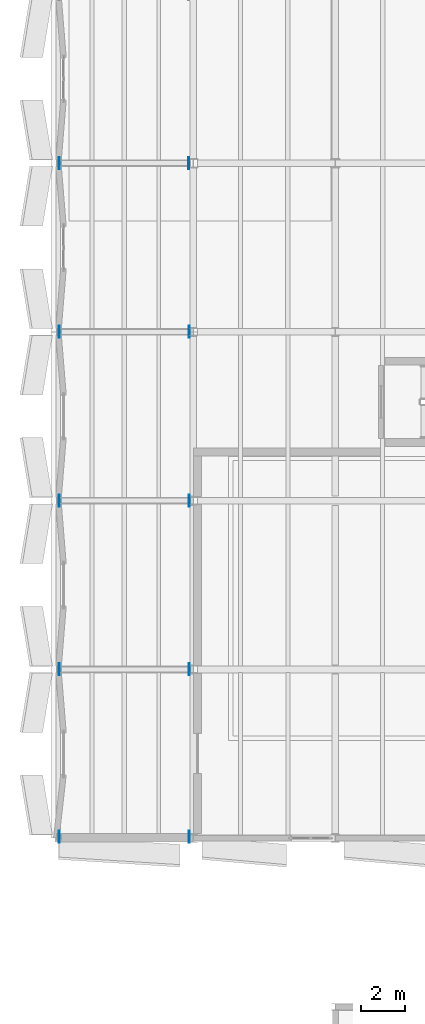
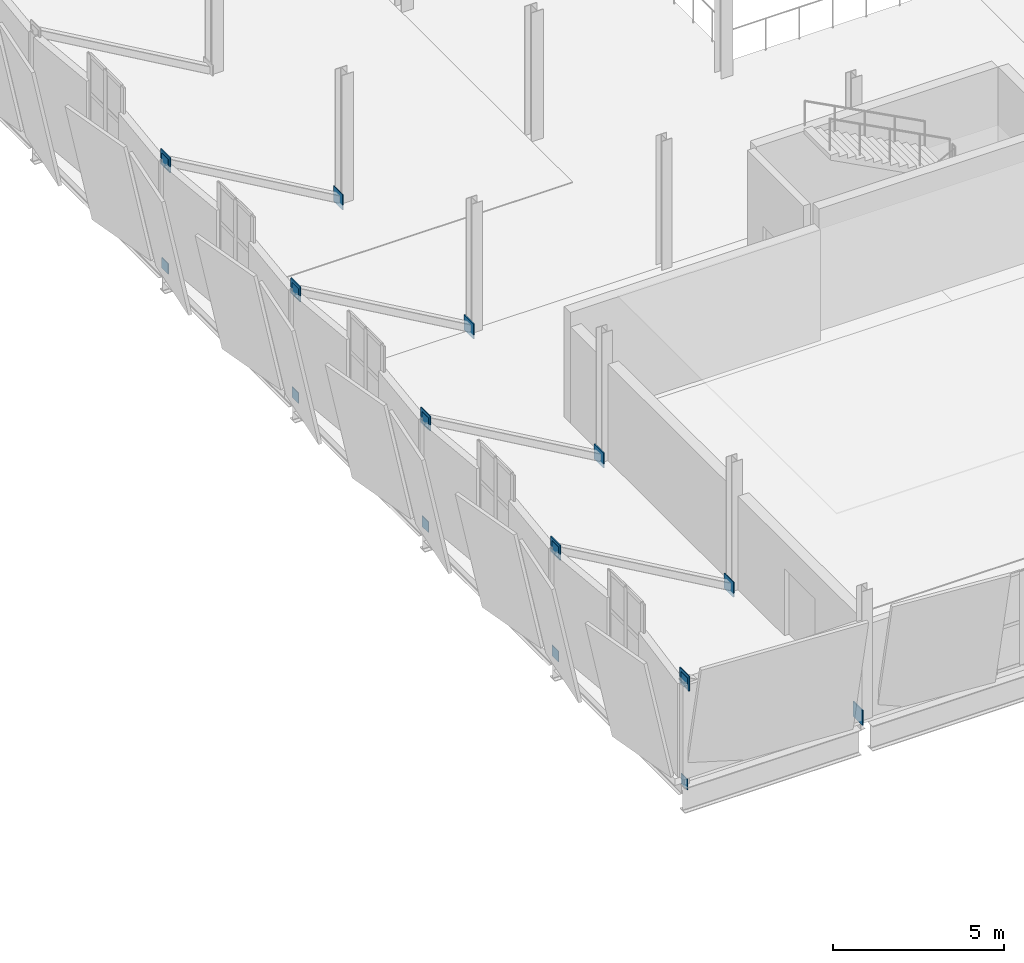
# One storey, part 143 of 172: 20 plates.
"""IFC4 building model written with IfcOpenShell, lengths in metres."""

import ifcopenshell
import ifcopenshell.guid

model = None  # the IFC model being written
_history = None  # IfcOwnerHistory: only IFC2X3 demands one
_inside = {}  # id of a spatial element -> (the spatial element, [elements in it])
_under = {}  # id of a project, library or spatial element -> (it, [spatial elements below it])
_declared = {}  # id of a project -> (the project, [libraries it declares])
_typed = {}  # id of a type object -> (the type object, [elements of that type])
_made_of = {}  # id of a material, layer set ... -> (it, [elements and type objects made of it])


def new_model(schema):
    """Start an empty IFC model of exactly this schema.

    Asked for "IFC4X3", IfcOpenShell would pick the latest addendum, in which some entities
    have other attributes; the version numbers below select the first issue.
    IFC2X3 requires an IfcOwnerHistory on every rooted entity: one is made here for all.
    """
    global model, _history
    if schema == "IFC4X3":
        model = ifcopenshell.file(schema_version=(4, 3, 0, 0))
    else:
        model = ifcopenshell.file(schema=schema)
    _inside.clear()
    _under.clear()
    _declared.clear()
    _typed.clear()
    _made_of.clear()
    _history = None
    if model.schema == "IFC2X3":
        org = make("IfcOrganization", Name="unknown")
        user = make(
            "IfcPersonAndOrganization",
            ThePerson=make("IfcPerson", FamilyName="unknown"),
            TheOrganization=org,
        )
        app = make(
            "IfcApplication",
            ApplicationDeveloper=org,
            Version="unknown",
            ApplicationFullName="unknown",
            ApplicationIdentifier="unknown",
        )
        _history = make(
            "IfcOwnerHistory",
            OwningUser=user,
            OwningApplication=app,
            ChangeAction="ADDED",
            CreationDate=0,
        )
    return model


def make(cls, **values):
    """One entity of the class cls with the attributes given. An attribute that is None is left unset."""
    return model.create_entity(
        cls, **{name: value for name, value in values.items() if value is not None}
    )


def rooted(cls, **values):
    """An entity with a GlobalId (a new one), such as an element, a storey or a relation."""
    return make(cls, GlobalId=ifcopenshell.guid.new(), OwnerHistory=_history, **values)


def si_unit(unit_type, name, prefix=None):
    """IfcSIUnit, for example si_unit("LENGTHUNIT", "METRE", prefix="MILLI")."""
    return make("IfcSIUnit", UnitType=unit_type, Prefix=prefix, Name=name)


def assignment(units):
    """IfcUnitAssignment: the units of a project."""
    return None if units is None else make("IfcUnitAssignment", Units=units)


def point(xyz):
    """IfcCartesianPoint."""
    return None if xyz is None else make("IfcCartesianPoint", Coordinates=xyz)


def direction(xyz):
    """IfcDirection."""
    return None if xyz is None else make("IfcDirection", DirectionRatios=xyz)


def frame(location, z_axis=None, x_axis=None):
    """IfcAxis2Placement3D, a coordinate frame: its origin and axes. An axis left out is left unset."""
    return make(
        "IfcAxis2Placement3D",
        Location=point(location),
        Axis=direction(z_axis),
        RefDirection=direction(x_axis),
    )


def frame_2d(location, x_axis=None):
    """IfcAxis2Placement2D, a coordinate frame in the plane: its origin and x axis."""
    return make(
        "IfcAxis2Placement2D", Location=point(location), RefDirection=direction(x_axis)
    )


def origin():
    """The frame at (0, 0, 0) with its axes left unset."""
    return frame((0.0, 0.0, 0.0))


def origin_2d():
    """The frame at (0, 0) in the plane with its x axis left unset."""
    return frame_2d((0.0, 0.0))


def place(relative_to, where):
    """IfcLocalPlacement: puts the frame where relative to a parent placement (None: the world)."""
    return make(
        "IfcLocalPlacement", PlacementRelTo=relative_to, RelativePlacement=where
    )


def context(
    kind, dimensions, precision=None, world=None, true_north=None, identifier=None
):
    """IfcGeometricRepresentationContext, for example the 3D "Model" context."""
    return make(
        "IfcGeometricRepresentationContext",
        ContextIdentifier=identifier,
        ContextType=kind,
        CoordinateSpaceDimension=dimensions,
        Precision=precision,
        WorldCoordinateSystem=world,
        TrueNorth=true_north,
    )


def subcontext(parent, identifier, kind, view, scale=None):
    """IfcGeometricRepresentationSubContext, for example "Body" below "Model"."""
    return make(
        "IfcGeometricRepresentationSubContext",
        ContextIdentifier=identifier,
        ContextType=kind,
        ParentContext=parent,
        TargetScale=scale,
        TargetView=view,
    )


def project(units=None, contexts=None):
    """IfcProject with its units and contexts."""
    return rooted(
        "IfcProject",
        Name="project",
        RepresentationContexts=contexts,
        UnitsInContext=assignment(units),
    )


def spatial(cls, under=None, at=None, **own):
    """A site, building, storey or space (cls), placed at a placement, below another one or the project."""
    s = rooted(cls, ObjectPlacement=at, **own)
    if under is not None:
        _under.setdefault(under.id(), (under, []))[1].append(s)
    return s


def profile(cls, at=None, kind="AREA", **sizes):
    """A parametric profile (cls). Its sizes go by their IFC names, for example OverallWidth=200.0."""
    return make(cls, ProfileType=kind, Position=at, **sizes)


def rectangle(**sizes):
    """IfcRectangleProfileDef."""
    return profile("IfcRectangleProfileDef", **sizes)


def extrude(swept, where, along, depth):
    """IfcExtrudedAreaSolid: the profile swept, set in the frame where, extruded along a direction by depth."""
    return make(
        "IfcExtrudedAreaSolid",
        SweptArea=swept,
        Position=where,
        ExtrudedDirection=direction(along),
        Depth=depth,
    )


def shape(context_of_items, identifier, shape_type, items):
    """IfcShapeRepresentation: the items that make up one representation, for example the "Body"."""
    return make(
        "IfcShapeRepresentation",
        ContextOfItems=context_of_items,
        RepresentationIdentifier=identifier,
        RepresentationType=shape_type,
        Items=items,
    )


def material(Name=None, Category=None):
    """IfcMaterial."""
    return make("IfcMaterial", Name=Name, Category=Category)


def layer(
    of_material, thickness, ventilated=None, Name=None, Category=None, Priority=None
):
    """IfcMaterialLayer: one layer of a wall or slab, of a material (None: an air gap)."""
    return make(
        "IfcMaterialLayer",
        Material=of_material,
        LayerThickness=thickness,
        IsVentilated=ventilated,
        Name=Name,
        Category=Category,
        Priority=Priority,
    )


def layer_set(layers, Name=None):
    """IfcMaterialLayerSet."""
    return make("IfcMaterialLayerSet", MaterialLayers=layers, LayerSetName=Name)


def made_of(thing, what):
    """Note that an element or type object is made of a material, layer set ...; save() writes the relation."""
    if what is not None:
        _made_of.setdefault(what.id(), (what, []))[1].append(thing)
    return thing


def type_object(cls, material=None, **own):
    """A type object (cls), such as IfcWallType, which elements share."""
    return made_of(rooted(cls, **own), material)


def element(
    cls,
    number,
    at=None,
    inside=None,
    cuts=None,
    type_object=None,
    material=None,
    context=None,
    identifier="Body",
    shape_type=None,
    held_by="IfcProductDefinitionShape",
    body=None,
    shapes=None,
    **own,
):
    """One element of the class cls, such as IfcWall. Its Tag is "e" and its number.

    at: its placement. inside: the storey or other place that contains it. cuts: it is an
    opening in that element (IfcRelVoidsElement). A single representation is given by context,
    identifier, shape_type and body (its items); several are given by shapes. held_by: the class
    of the entity that holds the representations. save() writes the other relations.
    """
    e = rooted(cls, Tag="e%d" % number, ObjectPlacement=at, **own)
    if body is not None:
        shapes = [shape(context, identifier, shape_type, body)]
    if shapes is not None:
        e.Representation = make(held_by, Representations=shapes)
    if inside is not None:
        _inside.setdefault(inside.id(), (inside, []))[1].append(e)
    if cuts is not None:
        rooted(
            "IfcRelVoidsElement", RelatingBuildingElement=cuts, RelatedOpeningElement=e
        )
    if type_object is not None:
        _typed.setdefault(type_object.id(), (type_object, []))[1].append(e)
    return made_of(e, material)


def aggregate(whole, parts):
    """IfcRelAggregates: a whole, such as a stair, and the parts it consists of."""
    return rooted("IfcRelAggregates", RelatingObject=whole, RelatedObjects=parts)


def save(model, path):
    """Write the relations noted so far, then the file.

    IfcRelAggregates (storeys below a building ...), IfcRelContainedInSpatialStructure (elements
    in a storey), IfcRelDefinesByType, IfcRelAssociatesMaterial and IfcRelDeclares: one each for
    every whole, place, type object, material and project.
    """
    for whole, parts in _under.values():
        aggregate(whole, parts)
    for where, things in _inside.values():
        rooted(
            "IfcRelContainedInSpatialStructure",
            RelatedElements=things,
            RelatingStructure=where,
        )
    for kind, things in _typed.values():
        rooted("IfcRelDefinesByType", RelatedObjects=things, RelatingType=kind)
    for what, things in _made_of.values():
        rooted("IfcRelAssociatesMaterial", RelatedObjects=things, RelatingMaterial=what)
    for by, libraries in _declared.values():
        rooted("IfcRelDeclares", RelatingContext=by, RelatedDefinitions=libraries)
    model.write(path)


model = new_model("IFC4")

# Units and contexts
model_context = context("Model", 3, precision=1e-05, world=origin(), true_north=direction((0.0, 1.0)))
body_context = subcontext(model_context, "Body", "Model", "MODEL_VIEW")
ifc_project = project(units=[si_unit("LENGTHUNIT", "METRE"), si_unit("AREAUNIT", "SQUARE_METRE"), si_unit("VOLUMEUNIT", "CUBIC_METRE"), si_unit("PLANEANGLEUNIT", "RADIAN"), si_unit("MASSUNIT", "GRAM", prefix="KILO")], contexts=[model_context])

# Site, building, storey
site_placement = place(None, origin())
site = spatial("IfcSite", under=ifc_project, at=site_placement, CompositionType="ELEMENT")
building_placement = place(site_placement, origin())
building = spatial("IfcBuilding", under=site, at=building_placement, Name="Shengluoqiao Park Theatre", CompositionType="ELEMENT")
storey_placement = place(building_placement, frame((0.0, 0.0, 5.39990234375)))
storey = spatial("IfcBuildingStorey", under=building, at=storey_placement, Name="L01", CompositionType="ELEMENT", Elevation=5.39990234375)

# Plates
ifc_material = material(Name="Steel Q390", Category="steel")
ifc_layer_1 = layer(ifc_material, 0.02392578125, Name="Steel Q390")
ifc_layer_set_1 = layer_set([ifc_layer_1], Name="Steel Q390")
plate_type_1 = type_object("IfcPlateType", Name="STR-PLT-EC-360", PredefinedType="SHEET", material=ifc_layer_set_1)
for number, where, z_axis, x_axis, name in (
    (1, (0.360107421875, 30.4599609375, -0.44091796875), (0.0, 0.0, 1.0), (1.0, 0.0, 0.0), "Hollow Tube End Cap Plate 00038"),
    (2, (0.360107421875, 30.4599609375, 3.18115234375), (0.0, 0.0, 1.0), (1.0, 0.0, 0.0), "Hollow Tube End Cap Plate 00039"),
    (3, (0.360107421875, 38.0, -0.44091796875), (0.0, 0.0, 1.0), (1.0, 0.0, 0.0), "Hollow Tube End Cap Plate 00050"),
    (4, (0.360107421875, 38.0, 3.28125), (0.0, 0.0, 1.0), (1.0, 0.0, 0.0), "Hollow Tube End Cap Plate 00051"),
    (5, (0.360107421875, 45.60009765625, -0.44091796875), (0.0, 0.0, 1.0), (1.0, 0.0, 0.0), "Hollow Tube End Cap Plate 00062"),
    (6, (0.360107421875, 45.60009765625, 3.28125), (0.0, 0.0, 1.0), (1.0, 0.0, 0.0), "Hollow Tube End Cap Plate 00063"),
    (7, (0.360107421875, 53.199951171875, -0.44091796875), (0.0, 0.0, 1.0), (1.0, 0.0, 0.0), "Hollow Tube End Cap Plate 00074"),
    (8, (0.360107421875, 53.199951171875, 3.28125), (0.0, 0.0, 1.0), (1.0, 0.0, 0.0), "Hollow Tube End Cap Plate 00075"),
    (9, (0.360107421875, 60.800048828125, -0.44091796875), (0.0, 0.0, 1.0), (1.0, 0.0, 0.0), "Hollow Tube End Cap Plate 00086"),
    (10, (0.360107421875, 60.800048828125, 3.28125), (0.0, 0.0, 1.0), (1.0, 0.0, 0.0), "Hollow Tube End Cap Plate 00087"),
):
    element("IfcPlate", number, at=place(storey_placement, frame(where, z_axis=z_axis, x_axis=x_axis)), inside=storey, type_object=plate_type_1, Name=name, PredefinedType="SHEET", context=body_context, shape_type="SweptSolid", body=[
        extrude(rectangle(XDim=0.02392578125, YDim=0.3798828125, at=origin_2d()), origin(), (0.0, 0.0, 1.0), 0.3798828125),
    ])
ifc_layer_2 = layer(ifc_material, 0.033935546875, Name="Steel Q390")
ifc_layer_set_2 = layer_set([ifc_layer_2], Name="Steel Q390")
plate_type_2 = type_object("IfcPlateType", Name="STR-PLT-EC-540", PredefinedType="SHEET", material=ifc_layer_set_2)
for number, where, z_axis, x_axis, name in (
    (11, (6.227783203125, 30.4599609375, -0.14306640625), (0.0, 0.0, 1.0), (-1.0, 0.0, 0.0), "Hollow Tube End Cap Plate 00036"),
    (12, (0.372314453125, 30.4599609375, 3.123291015625), (0.0, 0.0, 1.0), (-1.0, 0.0, 0.0), "Hollow Tube End Cap Plate 00037"),
    (13, (6.227783203125, 38.0, -0.142822265625), (0.0, 0.0, 1.0), (-1.0, 0.0, 0.0), "Hollow Tube End Cap Plate 00048"),
    (14, (0.3720703125, 38.0, 3.22314453125), (0.0, 0.0, 1.0), (-1.0, 0.0, 0.0), "Hollow Tube End Cap Plate 00049"),
    (15, (6.227783203125, 45.60009765625, -0.142822265625), (0.0, 0.0, 1.0), (-1.0, 0.0, 0.0), "Hollow Tube End Cap Plate 00060"),
    (16, (0.3720703125, 45.60009765625, 3.22314453125), (0.0, 0.0, 1.0), (-1.0, 0.0, 0.0), "Hollow Tube End Cap Plate 00061"),
    (17, (6.227783203125, 53.199951171875, -0.142822265625), (0.0, 0.0, 1.0), (-1.0, 0.0, 0.0), "Hollow Tube End Cap Plate 00072"),
    (18, (0.3720703125, 53.199951171875, 3.22314453125), (0.0, 0.0, 1.0), (-1.0, 0.0, 0.0), "Hollow Tube End Cap Plate 00073"),
    (19, (6.202880859375, 60.800048828125, -0.142822265625), (0.0, 0.0, 1.0), (-1.0, 0.0, 0.0), "Hollow Tube End Cap Plate 00084"),
    (20, (0.3720703125, 60.800048828125, 3.22314453125), (0.0, 0.0, 1.0), (-1.0, 0.0, 0.0), "Hollow Tube End Cap Plate 00085"),
):
    element("IfcPlate", number, at=place(storey_placement, frame(where, z_axis=z_axis, x_axis=x_axis)), inside=storey, type_object=plate_type_2, Name=name, PredefinedType="SHEET", context=body_context, shape_type="SweptSolid", body=[
        extrude(rectangle(XDim=0.033935546875, YDim=0.5400390625, at=origin_2d()), origin(), (0.0, 0.0, 1.0), 0.5400390625),
    ])

save(model, "model.ifc")
